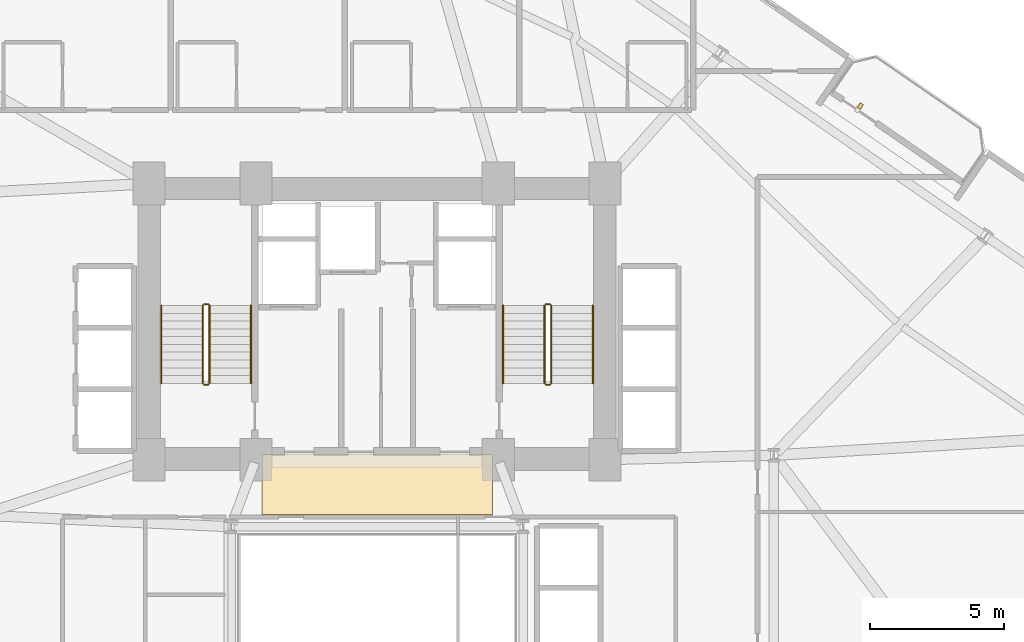
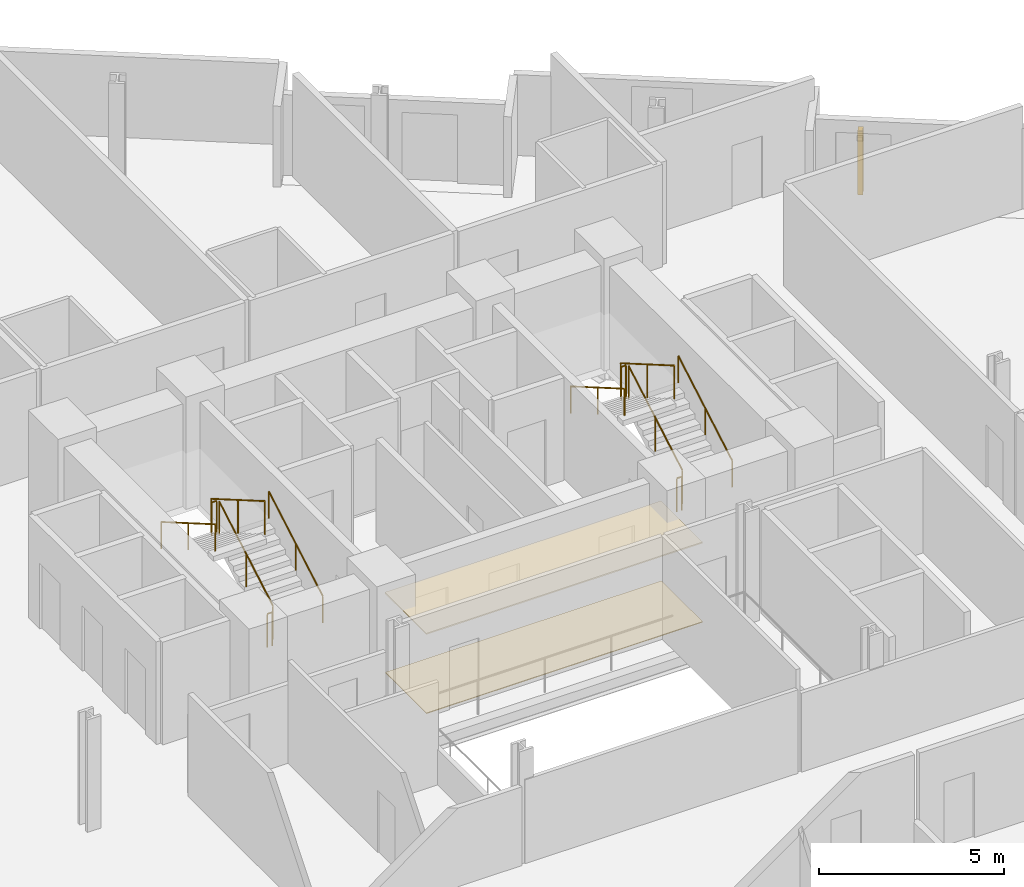
# One storey, part 23 of 24: 12 railings, 2 coverings, 1 shading device.
"""IFC4 building model written with IfcOpenShell, lengths in metres."""

from ifc_helpers import new_model, si_unit, direction, frame, origin, origin_2d, place, context, subcontext, project, spatial, rectangle, circle, extrude, source, transform, mapped, material, layer, layer_set, type_object, element, save


model = new_model("IFC4")

# Units and contexts
model_context = context("Model", 3, precision=1e-05, world=origin(), true_north=direction((0.0, 1.0)))
body_context = subcontext(model_context, "Body", "Model", "MODEL_VIEW")
ifc_project = project(units=[si_unit("LENGTHUNIT", "METRE"), si_unit("AREAUNIT", "SQUARE_METRE"), si_unit("VOLUMEUNIT", "CUBIC_METRE"), si_unit("PLANEANGLEUNIT", "RADIAN"), si_unit("MASSUNIT", "GRAM", prefix="KILO")], contexts=[model_context])

# Site, building, storey
site_placement = place(None, origin())
site = spatial("IfcSite", under=ifc_project, at=site_placement, CompositionType="ELEMENT")
building_placement = place(site_placement, origin())
building = spatial("IfcBuilding", under=site, at=building_placement, Name="Varnelok Gate Tower", CompositionType="ELEMENT")
storey_placement = place(building_placement, frame((0.0, 0.0, 67.699951171875)))
storey = spatial("IfcBuildingStorey", under=building, at=storey_placement, Name="L16", CompositionType="ELEMENT", Elevation=67.699951171875)

# Railings
ifc_material_1 = material(Name="Brushed Stainless Steel AISI 316", Category="steel")
railing_type_1 = type_object("IfcRailingType", Name="RL-HANDRAIL-900", PredefinedType="HANDRAIL", material=ifc_material_1)
railing_1_placement = place(storey_placement, frame((34.5, 31.60009765625, 0.168212890625)))
element("IfcRailing", 1, at=railing_1_placement, inside=storey, type_object=railing_type_1, Name="L16 ST-1 stair handrail 1", PredefinedType="HANDRAIL", context=body_context, shape_type="SweptSolid", body=[
    extrude(circle(Radius=0.02392578125, at=origin_2d()), frame((0.0, 0.0, 0.8759765625), z_axis=(0.0, 0.865038774852, 0.501705010941), x_axis=(-1.0, 0.0, 0.0)), (0.0, 0.0, 1.0), 3.352294921875),
    extrude(circle(Radius=0.02099609375, at=origin_2d()), origin(), (0.0, 0.0, 1.0), 0.851806640625),
    extrude(circle(Radius=0.02099609375, at=origin_2d()), frame((0.0, 1.449951171875, 0.8408203125)), (0.0, 0.0, 1.0), 0.851806640625),
    extrude(circle(Radius=0.02099609375, at=origin_2d()), frame((0.0, 2.89990234375, 1.681884765625)), (0.0, 0.0, 1.0), 0.851806640625),
])
railing_2_placement = place(storey_placement, frame((31.14990234375, 34.5, 2.018310546875)))
element("IfcRailing", 2, at=railing_2_placement, inside=storey, type_object=railing_type_1, Name="L16 ST-1 stair handrail 2", PredefinedType="HANDRAIL", context=body_context, shape_type="SweptSolid", body=[
    extrude(circle(Radius=0.02392578125, at=origin_2d()), frame((0.0, 0.0, 0.8759765625), z_axis=(0.0, -0.86507038078, 0.501650512107), x_axis=(1.0, 0.0, 0.0)), (0.0, 0.0, 1.0), 3.352294921875),
    extrude(circle(Radius=0.02099609375, at=origin_2d()), origin(), (0.0, 0.0, 1.0), 0.851806640625),
    extrude(circle(Radius=0.02099609375, at=origin_2d()), frame((0.0, -1.449951171875, 0.8408203125)), (0.0, 0.0, 1.0), 0.851806640625),
    extrude(circle(Radius=0.02099609375, at=origin_2d()), frame((0.0, -2.89990234375, 1.681640625)), (0.0, 0.0, 1.0), 0.851806640625),
])
railing_3_placement = place(storey_placement, frame((47.25, 31.60009765625, 0.168212890625)))
element("IfcRailing", 3, at=railing_3_placement, inside=storey, type_object=railing_type_1, Name="L16 ST-2 stair handrail 1", PredefinedType="HANDRAIL", context=body_context, shape_type="SweptSolid", body=[
    extrude(circle(Radius=0.02392578125, at=origin_2d()), frame((0.0, 0.0, 0.8759765625), z_axis=(0.0, 0.865038774852, 0.501705010941), x_axis=(-1.0, 0.0, 0.0)), (0.0, 0.0, 1.0), 3.352294921875),
    extrude(circle(Radius=0.02099609375, at=origin_2d()), origin(), (0.0, 0.0, 1.0), 0.851806640625),
    extrude(circle(Radius=0.02099609375, at=origin_2d()), frame((0.0, 1.449951171875, 0.8408203125)), (0.0, 0.0, 1.0), 0.851806640625),
    extrude(circle(Radius=0.02099609375, at=origin_2d()), frame((0.0, 2.89990234375, 1.681884765625)), (0.0, 0.0, 1.0), 0.851806640625),
])
railing_4_placement = place(storey_placement, frame((43.89990234375, 34.5, 2.018310546875)))
element("IfcRailing", 4, at=railing_4_placement, inside=storey, type_object=railing_type_1, Name="L16 ST-2 stair handrail 2", PredefinedType="HANDRAIL", context=body_context, shape_type="SweptSolid", body=[
    extrude(circle(Radius=0.02392578125, at=origin_2d()), frame((0.0, 0.0, 0.8759765625), z_axis=(0.0, -0.86507038078, 0.501650512107), x_axis=(1.0, 0.0, 0.0)), (0.0, 0.0, 1.0), 3.352294921875),
    extrude(circle(Radius=0.02099609375, at=origin_2d()), origin(), (0.0, 0.0, 1.0), 0.851806640625),
    extrude(circle(Radius=0.02099609375, at=origin_2d()), frame((0.0, -1.449951171875, 0.8408203125)), (0.0, 0.0, 1.0), 0.851806640625),
    extrude(circle(Radius=0.02099609375, at=origin_2d()), frame((0.0, -2.89990234375, 1.681640625)), (0.0, 0.0, 1.0), 0.851806640625),
])
ifc_material_2 = material(Name="Galvanized Steel Grade S350GD", Category="steel")
railing_type_2 = type_object("IfcRailingType", Name="RL-STAIR-GUARD1120", PredefinedType="GUARDRAIL", material=ifc_material_2)
railing_5_placement = place(storey_placement, frame((32.949951171875, 31.60009765625, 0.168212890625)))
element("IfcRailing", 5, at=railing_5_placement, inside=storey, type_object=railing_type_2, Name="L16 ST-1 stair guard 1", PredefinedType="GUARDRAIL", context=body_context, shape_type="SweptSolid", body=[
    extrude(circle(Radius=0.02392578125, at=origin_2d()), frame((0.0, 0.0, 1.09619140625), z_axis=(0.0, 0.865038774852, 0.501705010941), x_axis=(-1.0, 0.0, 0.0)), (0.0, 0.0, 1.0), 3.352294921875),
    extrude(circle(Radius=0.02099609375, at=origin_2d()), origin(), (0.0, 0.0, 1.0), 1.072021484375),
    extrude(circle(Radius=0.02099609375, at=origin_2d()), frame((0.0, 1.449951171875, 0.8408203125)), (0.0, 0.0, 1.0), 1.072021484375),
    extrude(circle(Radius=0.02099609375, at=origin_2d()), frame((0.0, 2.89990234375, 1.681884765625)), (0.0, 0.0, 1.0), 1.072021484375),
])
railing_6_placement = place(storey_placement, frame((32.89990234375, 34.550048828125, 1.85009765625)))
element("IfcRailing", 6, at=railing_6_placement, inside=storey, type_object=railing_type_2, Name="L16 ST-1 stair guard 2", PredefinedType="GUARDRAIL", context=body_context, shape_type="SweptSolid", body=[
    extrude(circle(Radius=0.02392578125, at=origin_2d()), frame((0.0, 0.0, 1.09619140625), z_axis=(-1.0, 0.0, 0.0), x_axis=(0.0, -1.0, 0.0)), (0.0, 0.0, 1.0), 0.14990234375),
    extrude(circle(Radius=0.02099609375, at=origin_2d()), origin(), (0.0, 0.0, 1.0), 1.072021484375),
    extrude(circle(Radius=0.02099609375, at=origin_2d()), frame((-0.14990234375, 0.0, 0.0)), (0.0, 0.0, 1.0), 1.072021484375),
])
railing_7_placement = place(storey_placement, frame((32.699951171875, 34.5, 2.018310546875)))
element("IfcRailing", 7, at=railing_7_placement, inside=storey, type_object=railing_type_2, Name="L16 ST-1 stair guard 3", PredefinedType="GUARDRAIL", context=body_context, shape_type="SweptSolid", body=[
    extrude(circle(Radius=0.02392578125, at=origin_2d()), frame((0.0, 0.0, 1.09619140625), z_axis=(0.0, -0.86507038078, 0.501650512107), x_axis=(1.0, 0.0, 0.0)), (0.0, 0.0, 1.0), 3.352294921875),
    extrude(circle(Radius=0.02099609375, at=origin_2d()), origin(), (0.0, 0.0, 1.0), 1.072021484375),
    extrude(circle(Radius=0.02099609375, at=origin_2d()), frame((0.0, -1.449951171875, 0.8408203125)), (0.0, 0.0, 1.0), 1.072021484375),
    extrude(circle(Radius=0.02099609375, at=origin_2d()), frame((0.0, -2.89990234375, 1.681640625)), (0.0, 0.0, 1.0), 1.072021484375),
])
railing_8_placement = place(storey_placement, frame((32.89990234375, 31.550048828125, 0.0)))
element("IfcRailing", 8, at=railing_8_placement, inside=storey, type_object=railing_type_2, Name="L16 ST-1 stair guard 4", PredefinedType="GUARDRAIL", context=body_context, shape_type="SweptSolid", body=[
    extrude(circle(Radius=0.02392578125, at=origin_2d()), frame((0.0, 0.0, 1.09619140625), z_axis=(-1.0, 0.0, 0.0), x_axis=(0.0, -1.0, 0.0)), (0.0, 0.0, 1.0), 0.14990234375),
    extrude(circle(Radius=0.02099609375, at=origin_2d()), origin(), (0.0, 0.0, 1.0), 1.072021484375),
    extrude(circle(Radius=0.02099609375, at=origin_2d()), frame((-0.14990234375, 0.0, 0.0)), (0.0, 0.0, 1.0), 1.072021484375),
])
railing_9_placement = place(storey_placement, frame((45.699951171875, 31.60009765625, 0.168212890625)))
element("IfcRailing", 9, at=railing_9_placement, inside=storey, type_object=railing_type_2, Name="L16 ST-2 stair guard 1", PredefinedType="GUARDRAIL", context=body_context, shape_type="SweptSolid", body=[
    extrude(circle(Radius=0.02392578125, at=origin_2d()), frame((0.0, 0.0, 1.09619140625), z_axis=(0.0, 0.865038774852, 0.501705010941), x_axis=(-1.0, 0.0, 0.0)), (0.0, 0.0, 1.0), 3.352294921875),
    extrude(circle(Radius=0.02099609375, at=origin_2d()), origin(), (0.0, 0.0, 1.0), 1.072021484375),
    extrude(circle(Radius=0.02099609375, at=origin_2d()), frame((0.0, 1.449951171875, 0.8408203125)), (0.0, 0.0, 1.0), 1.072021484375),
    extrude(circle(Radius=0.02099609375, at=origin_2d()), frame((0.0, 2.89990234375, 1.681884765625)), (0.0, 0.0, 1.0), 1.072021484375),
])
railing_10_placement = place(storey_placement, frame((45.64990234375, 34.550048828125, 1.85009765625)))
element("IfcRailing", 10, at=railing_10_placement, inside=storey, type_object=railing_type_2, Name="L16 ST-2 stair guard 2", PredefinedType="GUARDRAIL", context=body_context, shape_type="SweptSolid", body=[
    extrude(circle(Radius=0.02392578125, at=origin_2d()), frame((0.0, 0.0, 1.09619140625), z_axis=(-1.0, 0.0, 0.0), x_axis=(0.0, -1.0, 0.0)), (0.0, 0.0, 1.0), 0.14990234375),
    extrude(circle(Radius=0.02099609375, at=origin_2d()), origin(), (0.0, 0.0, 1.0), 1.072021484375),
    extrude(circle(Radius=0.02099609375, at=origin_2d()), frame((-0.14990234375, 0.0, 0.0)), (0.0, 0.0, 1.0), 1.072021484375),
])
railing_11_placement = place(storey_placement, frame((45.449951171875, 34.5, 2.018310546875)))
element("IfcRailing", 11, at=railing_11_placement, inside=storey, type_object=railing_type_2, Name="L16 ST-2 stair guard 3", PredefinedType="GUARDRAIL", context=body_context, shape_type="SweptSolid", body=[
    extrude(circle(Radius=0.02392578125, at=origin_2d()), frame((0.0, 0.0, 1.09619140625), z_axis=(0.0, -0.86507038078, 0.501650512107), x_axis=(1.0, 0.0, 0.0)), (0.0, 0.0, 1.0), 3.352294921875),
    extrude(circle(Radius=0.02099609375, at=origin_2d()), origin(), (0.0, 0.0, 1.0), 1.072021484375),
    extrude(circle(Radius=0.02099609375, at=origin_2d()), frame((0.0, -1.449951171875, 0.8408203125)), (0.0, 0.0, 1.0), 1.072021484375),
    extrude(circle(Radius=0.02099609375, at=origin_2d()), frame((0.0, -2.89990234375, 1.681640625)), (0.0, 0.0, 1.0), 1.072021484375),
])
railing_12_placement = place(storey_placement, frame((45.64990234375, 31.550048828125, 0.0)))
element("IfcRailing", 12, at=railing_12_placement, inside=storey, type_object=railing_type_2, Name="L16 ST-2 stair guard 4", PredefinedType="GUARDRAIL", context=body_context, shape_type="SweptSolid", body=[
    extrude(circle(Radius=0.02392578125, at=origin_2d()), frame((0.0, 0.0, 1.09619140625), z_axis=(-1.0, 0.0, 0.0), x_axis=(0.0, -1.0, 0.0)), (0.0, 0.0, 1.0), 0.14990234375),
    extrude(circle(Radius=0.02099609375, at=origin_2d()), origin(), (0.0, 0.0, 1.0), 1.072021484375),
    extrude(circle(Radius=0.02099609375, at=origin_2d()), frame((-0.14990234375, 0.0, 0.0)), (0.0, 0.0, 1.0), 1.072021484375),
])

# Shading device
ifc_material_3 = material(Name="Glazed Architectural Terracotta Ceramic", Category="masonry")
shading_device_type = type_object("IfcShadingDeviceType", Name="SHD-TERRA-BAGUETTE", PredefinedType="USERDEFINED", material=ifc_material_3)
shared_shape_1 = source(origin(), body_context, "Body", "SweptSolid", [
    extrude(rectangle(XDim=0.139892578125, YDim=0.219970703125, at=origin_2d()), origin(), (0.0, 0.0, 1.0), 2.10009765625),
])
shading_device_placement = place(storey_placement, frame((57.2216796875, 41.94384765625, 0.10009765625), z_axis=(0.0, 0.0, 1.0), x_axis=(0.823532597628, -0.567268949127, 0.0)))
element("IfcShadingDevice", 13, at=shading_device_placement, inside=storey, type_object=shading_device_type, Name="L16 Terracotta Ceramic Baguette Sunscreen 4.1", ObjectType="BAGUETTE", PredefinedType="USERDEFINED", context=body_context, shape_type="MappedRepresentation", body=[
    mapped(shared_shape_1, transform((0.0, 0.0, 0.0), scale=1.0)),
])

# Coverings
ifc_material_4 = material(Name="Honed Travertine Stone Flooring", Category="masonry")
ifc_layer_1 = layer(ifc_material_4, 0.02490234375)
ifc_layer_set_1 = layer_set([ifc_layer_1], Name="Honed Travertine Stone Flooring")
covering_type_1 = type_object("IfcCoveringType", Name="COV-FLOR-STONE", PredefinedType="FLOORING", material=ifc_layer_set_1)
shared_shape_2 = source(origin(), body_context, "Body", "SweptSolid", [
    extrude(rectangle(XDim=8.60009765625, YDim=2.219970703125, at=origin_2d()), origin(), (0.0, 0.0, 1.0), 0.02490234375),
])
covering_1_placement = place(storey_placement, frame((39.199951171875, 27.800048828125, 0.0), z_axis=(0.0, 0.0, 1.0), x_axis=(1.0, 0.0, 0.0)))
element("IfcCovering", 14, at=covering_1_placement, inside=storey, type_object=covering_type_1, Name="L16 Core Gallery Stone Flooring", PredefinedType="FLOORING", context=body_context, shape_type="MappedRepresentation", body=[
    mapped(shared_shape_2, transform((0.0, 0.0, 0.0), scale=1.0)),
])
ifc_material_5 = material(Name="Mineral Fiber Acoustic Ceiling Tile")
ifc_layer_2 = layer(ifc_material_5, 0.0400390625)
ifc_layer_set_2 = layer_set([ifc_layer_2], Name="Mineral Fiber Acoustic Ceiling Tile")
covering_type_2 = type_object("IfcCoveringType", Name="COV-CEIL-ACOUST", PredefinedType="CEILING", material=ifc_layer_set_2)
shared_shape_3 = source(origin(), body_context, "Body", "SweptSolid", [
    extrude(rectangle(XDim=8.60009765625, YDim=2.239990234375, at=origin_2d()), origin(), (0.0, 0.0, 1.0), 0.0400390625),
])
covering_2_placement = place(storey_placement, frame((39.199951171875, 27.820068359375, 2.60009765625), z_axis=(0.0, 0.0, 1.0), x_axis=(1.0, 0.0, 0.0)))
element("IfcCovering", 15, at=covering_2_placement, inside=storey, type_object=covering_type_2, Name="L16 Core Gallery Acoustic Ceiling", PredefinedType="CEILING", context=body_context, shape_type="MappedRepresentation", body=[
    mapped(shared_shape_3, transform((0.0, 0.0, 0.0), scale=1.0)),
])

save(model, "model.ifc")
